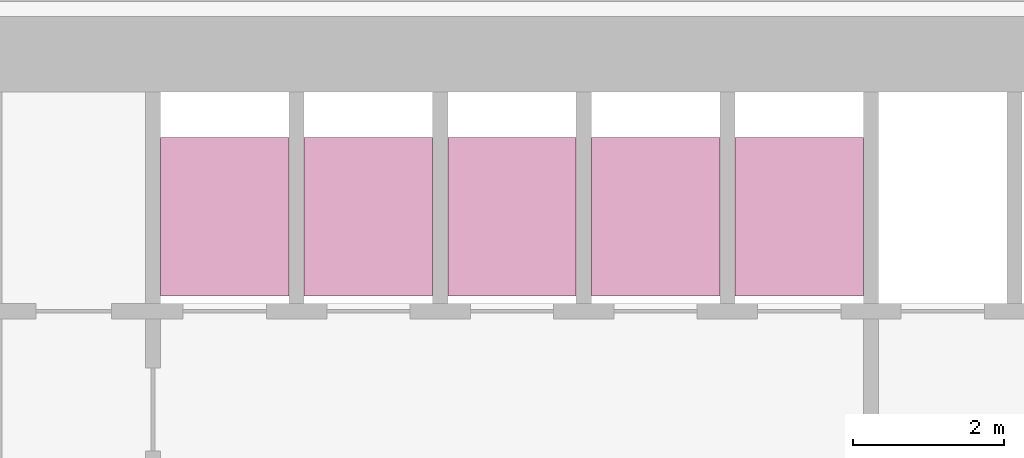
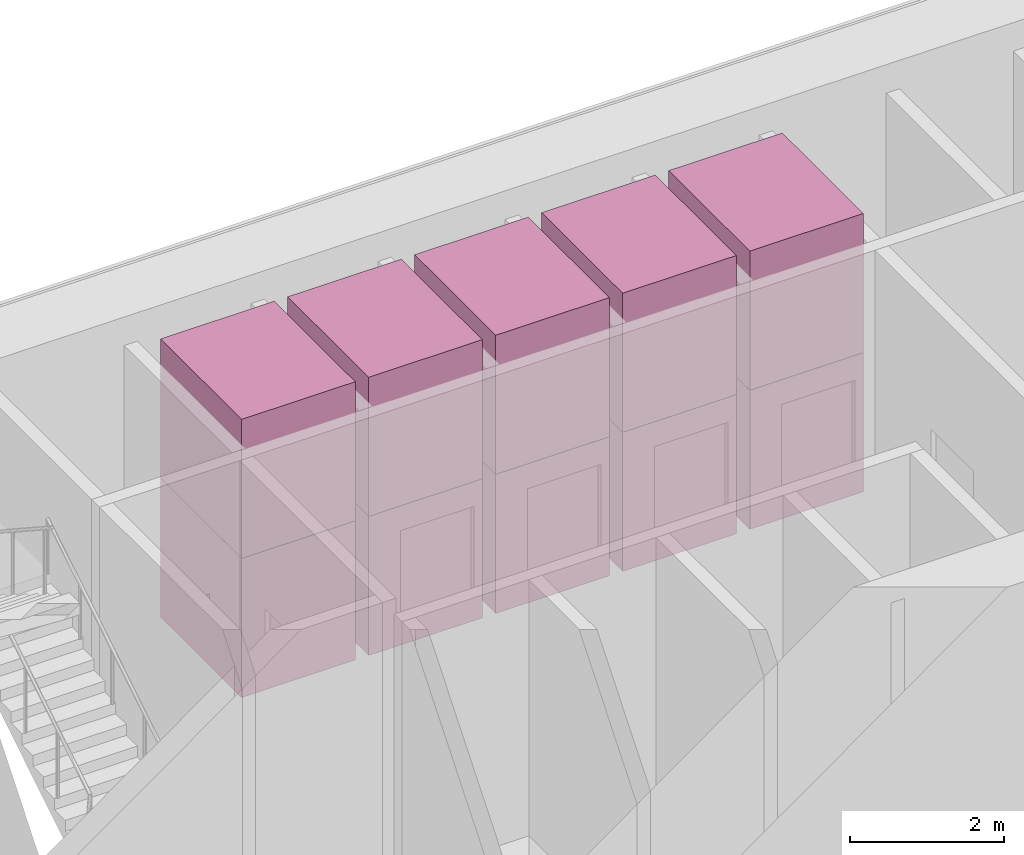
# One storey, part 9 of 9: 10 transport elements.
"""IFC4 building model written with IfcOpenShell, lengths in metres."""

import ifcopenshell
import ifcopenshell.guid

model = None  # the IFC model being written
_history = None  # IfcOwnerHistory: only IFC2X3 demands one
_inside = {}  # id of a spatial element -> (the spatial element, [elements in it])
_under = {}  # id of a project, library or spatial element -> (it, [spatial elements below it])
_declared = {}  # id of a project -> (the project, [libraries it declares])
_typed = {}  # id of a type object -> (the type object, [elements of that type])
_made_of = {}  # id of a material, layer set ... -> (it, [elements and type objects made of it])


def new_model(schema):
    """Start an empty IFC model of exactly this schema.

    Asked for "IFC4X3", IfcOpenShell would pick the latest addendum, in which some entities
    have other attributes; the version numbers below select the first issue.
    IFC2X3 requires an IfcOwnerHistory on every rooted entity: one is made here for all.
    """
    global model, _history
    if schema == "IFC4X3":
        model = ifcopenshell.file(schema_version=(4, 3, 0, 0))
    else:
        model = ifcopenshell.file(schema=schema)
    _inside.clear()
    _under.clear()
    _declared.clear()
    _typed.clear()
    _made_of.clear()
    _history = None
    if model.schema == "IFC2X3":
        org = make("IfcOrganization", Name="unknown")
        user = make(
            "IfcPersonAndOrganization",
            ThePerson=make("IfcPerson", FamilyName="unknown"),
            TheOrganization=org,
        )
        app = make(
            "IfcApplication",
            ApplicationDeveloper=org,
            Version="unknown",
            ApplicationFullName="unknown",
            ApplicationIdentifier="unknown",
        )
        _history = make(
            "IfcOwnerHistory",
            OwningUser=user,
            OwningApplication=app,
            ChangeAction="ADDED",
            CreationDate=0,
        )
    return model


def make(cls, **values):
    """One entity of the class cls with the attributes given. An attribute that is None is left unset."""
    return model.create_entity(
        cls, **{name: value for name, value in values.items() if value is not None}
    )


def rooted(cls, **values):
    """An entity with a GlobalId (a new one), such as an element, a storey or a relation."""
    return make(cls, GlobalId=ifcopenshell.guid.new(), OwnerHistory=_history, **values)


def si_unit(unit_type, name, prefix=None):
    """IfcSIUnit, for example si_unit("LENGTHUNIT", "METRE", prefix="MILLI")."""
    return make("IfcSIUnit", UnitType=unit_type, Prefix=prefix, Name=name)


def assignment(units):
    """IfcUnitAssignment: the units of a project."""
    return None if units is None else make("IfcUnitAssignment", Units=units)


def point(xyz):
    """IfcCartesianPoint."""
    return None if xyz is None else make("IfcCartesianPoint", Coordinates=xyz)


def direction(xyz):
    """IfcDirection."""
    return None if xyz is None else make("IfcDirection", DirectionRatios=xyz)


def frame(location, z_axis=None, x_axis=None):
    """IfcAxis2Placement3D, a coordinate frame: its origin and axes. An axis left out is left unset."""
    return make(
        "IfcAxis2Placement3D",
        Location=point(location),
        Axis=direction(z_axis),
        RefDirection=direction(x_axis),
    )


def frame_2d(location, x_axis=None):
    """IfcAxis2Placement2D, a coordinate frame in the plane: its origin and x axis."""
    return make(
        "IfcAxis2Placement2D", Location=point(location), RefDirection=direction(x_axis)
    )


def origin():
    """The frame at (0, 0, 0) with its axes left unset."""
    return frame((0.0, 0.0, 0.0))


def origin_2d():
    """The frame at (0, 0) in the plane with its x axis left unset."""
    return frame_2d((0.0, 0.0))


def place(relative_to, where):
    """IfcLocalPlacement: puts the frame where relative to a parent placement (None: the world)."""
    return make(
        "IfcLocalPlacement", PlacementRelTo=relative_to, RelativePlacement=where
    )


def context(
    kind, dimensions, precision=None, world=None, true_north=None, identifier=None
):
    """IfcGeometricRepresentationContext, for example the 3D "Model" context."""
    return make(
        "IfcGeometricRepresentationContext",
        ContextIdentifier=identifier,
        ContextType=kind,
        CoordinateSpaceDimension=dimensions,
        Precision=precision,
        WorldCoordinateSystem=world,
        TrueNorth=true_north,
    )


def subcontext(parent, identifier, kind, view, scale=None):
    """IfcGeometricRepresentationSubContext, for example "Body" below "Model"."""
    return make(
        "IfcGeometricRepresentationSubContext",
        ContextIdentifier=identifier,
        ContextType=kind,
        ParentContext=parent,
        TargetScale=scale,
        TargetView=view,
    )


def project(units=None, contexts=None):
    """IfcProject with its units and contexts."""
    return rooted(
        "IfcProject",
        Name="project",
        RepresentationContexts=contexts,
        UnitsInContext=assignment(units),
    )


def spatial(cls, under=None, at=None, **own):
    """A site, building, storey or space (cls), placed at a placement, below another one or the project."""
    s = rooted(cls, ObjectPlacement=at, **own)
    if under is not None:
        _under.setdefault(under.id(), (under, []))[1].append(s)
    return s


def profile(cls, at=None, kind="AREA", **sizes):
    """A parametric profile (cls). Its sizes go by their IFC names, for example OverallWidth=200.0."""
    return make(cls, ProfileType=kind, Position=at, **sizes)


def rectangle(**sizes):
    """IfcRectangleProfileDef."""
    return profile("IfcRectangleProfileDef", **sizes)


def extrude(swept, where, along, depth):
    """IfcExtrudedAreaSolid: the profile swept, set in the frame where, extruded along a direction by depth."""
    return make(
        "IfcExtrudedAreaSolid",
        SweptArea=swept,
        Position=where,
        ExtrudedDirection=direction(along),
        Depth=depth,
    )


def shape(context_of_items, identifier, shape_type, items):
    """IfcShapeRepresentation: the items that make up one representation, for example the "Body"."""
    return make(
        "IfcShapeRepresentation",
        ContextOfItems=context_of_items,
        RepresentationIdentifier=identifier,
        RepresentationType=shape_type,
        Items=items,
    )


def material(Name=None, Category=None):
    """IfcMaterial."""
    return make("IfcMaterial", Name=Name, Category=Category)


def made_of(thing, what):
    """Note that an element or type object is made of a material, layer set ...; save() writes the relation."""
    if what is not None:
        _made_of.setdefault(what.id(), (what, []))[1].append(thing)
    return thing


def type_object(cls, material=None, **own):
    """A type object (cls), such as IfcWallType, which elements share."""
    return made_of(rooted(cls, **own), material)


def element(
    cls,
    number,
    at=None,
    inside=None,
    cuts=None,
    type_object=None,
    material=None,
    context=None,
    identifier="Body",
    shape_type=None,
    held_by="IfcProductDefinitionShape",
    body=None,
    shapes=None,
    **own,
):
    """One element of the class cls, such as IfcWall. Its Tag is "e" and its number.

    at: its placement. inside: the storey or other place that contains it. cuts: it is an
    opening in that element (IfcRelVoidsElement). A single representation is given by context,
    identifier, shape_type and body (its items); several are given by shapes. held_by: the class
    of the entity that holds the representations. save() writes the other relations.
    """
    e = rooted(cls, Tag="e%d" % number, ObjectPlacement=at, **own)
    if body is not None:
        shapes = [shape(context, identifier, shape_type, body)]
    if shapes is not None:
        e.Representation = make(held_by, Representations=shapes)
    if inside is not None:
        _inside.setdefault(inside.id(), (inside, []))[1].append(e)
    if cuts is not None:
        rooted(
            "IfcRelVoidsElement", RelatingBuildingElement=cuts, RelatedOpeningElement=e
        )
    if type_object is not None:
        _typed.setdefault(type_object.id(), (type_object, []))[1].append(e)
    return made_of(e, material)


def aggregate(whole, parts):
    """IfcRelAggregates: a whole, such as a stair, and the parts it consists of."""
    return rooted("IfcRelAggregates", RelatingObject=whole, RelatedObjects=parts)


def save(model, path):
    """Write the relations noted so far, then the file.

    IfcRelAggregates (storeys below a building ...), IfcRelContainedInSpatialStructure (elements
    in a storey), IfcRelDefinesByType, IfcRelAssociatesMaterial and IfcRelDeclares: one each for
    every whole, place, type object, material and project.
    """
    for whole, parts in _under.values():
        aggregate(whole, parts)
    for where, things in _inside.values():
        rooted(
            "IfcRelContainedInSpatialStructure",
            RelatedElements=things,
            RelatingStructure=where,
        )
    for kind, things in _typed.values():
        rooted("IfcRelDefinesByType", RelatedObjects=things, RelatingType=kind)
    for what, things in _made_of.values():
        rooted("IfcRelAssociatesMaterial", RelatedObjects=things, RelatingMaterial=what)
    for by, libraries in _declared.values():
        rooted("IfcRelDeclares", RelatingContext=by, RelatedDefinitions=libraries)
    model.write(path)


model = new_model("IFC4")

# Units and contexts
model_context = context("Model", 3, precision=1e-05, world=origin(), true_north=direction((0.0, 1.0)))
body_context = subcontext(model_context, "Body", "Model", "MODEL_VIEW")
ifc_project = project(units=[si_unit("LENGTHUNIT", "METRE"), si_unit("AREAUNIT", "SQUARE_METRE"), si_unit("VOLUMEUNIT", "CUBIC_METRE"), si_unit("PLANEANGLEUNIT", "RADIAN"), si_unit("MASSUNIT", "GRAM", prefix="KILO")], contexts=[model_context])

# Site, building, storey
site_placement = place(None, origin())
site = spatial("IfcSite", under=ifc_project, at=site_placement, CompositionType="ELEMENT")
building_placement = place(site_placement, origin())
building = spatial("IfcBuilding", under=site, at=building_placement, Name="Altiplano Prism Tower", CompositionType="ELEMENT")
storey_placement = place(building_placement, frame((0.0, 0.0, 9.0)))
storey = spatial("IfcBuildingStorey", under=building, at=storey_placement, Name="L01", CompositionType="ELEMENT", Elevation=9.0)

# Transport elements
ifc_material = material(Name="Stainless steel lift car", Category="steel")
transport_element_type = type_object("IfcTransportElementType", Name="Passenger lift car 1600 x 2100", PredefinedType="ELEVATOR", material=ifc_material)
for number, where, z_axis, x_axis, name in (
    (1, (79.050048828125, 101.75, 0.0498046875), (0.0, 0.0, 1.0), (1.0, 0.0, 0.0), "Low Zone Passenger Lift 1"),
    (2, (79.050048828125, 101.75, 2.25), (0.0, 0.0, 1.0), (1.0, 0.0, 0.0), "Low Zone Passenger Lift 1"),
    (3, (80.949951171875, 101.75, 0.0498046875), (0.0, 0.0, 1.0), (1.0, 0.0, 0.0), "Low Zone Passenger Lift 2"),
    (4, (80.949951171875, 101.75, 2.25), (0.0, 0.0, 1.0), (1.0, 0.0, 0.0), "Low Zone Passenger Lift 2"),
    (5, (82.85009765625, 101.75, 0.0498046875), (0.0, 0.0, 1.0), (1.0, 0.0, 0.0), "Low Zone Passenger Lift 3"),
    (6, (82.85009765625, 101.75, 2.25), (0.0, 0.0, 1.0), (1.0, 0.0, 0.0), "Low Zone Passenger Lift 3"),
    (7, (84.75, 101.75, 0.0498046875), (0.0, 0.0, 1.0), (1.0, 0.0, 0.0), "Low Zone Passenger Lift 4"),
    (8, (84.75, 101.75, 2.25), (0.0, 0.0, 1.0), (1.0, 0.0, 0.0), "Low Zone Passenger Lift 4"),
    (9, (86.64990234375, 101.75, 0.0498046875), (0.0, 0.0, 1.0), (1.0, 0.0, 0.0), "Low Zone Passenger Lift 5"),
    (10, (86.64990234375, 101.75, 2.25), (0.0, 0.0, 1.0), (1.0, 0.0, 0.0), "Low Zone Passenger Lift 5"),
):
    element("IfcTransportElement", number, at=place(storey_placement, frame(where, z_axis=z_axis, x_axis=x_axis)), inside=storey, type_object=transport_element_type, Name=name, PredefinedType="ELEVATOR", context=body_context, shape_type="SweptSolid", body=[
        extrude(rectangle(XDim=1.699951171875, YDim=2.10009765625, at=origin_2d()), origin(), (0.0, 0.0, 1.0), 2.199951171875),
    ])

save(model, "model.ifc")
